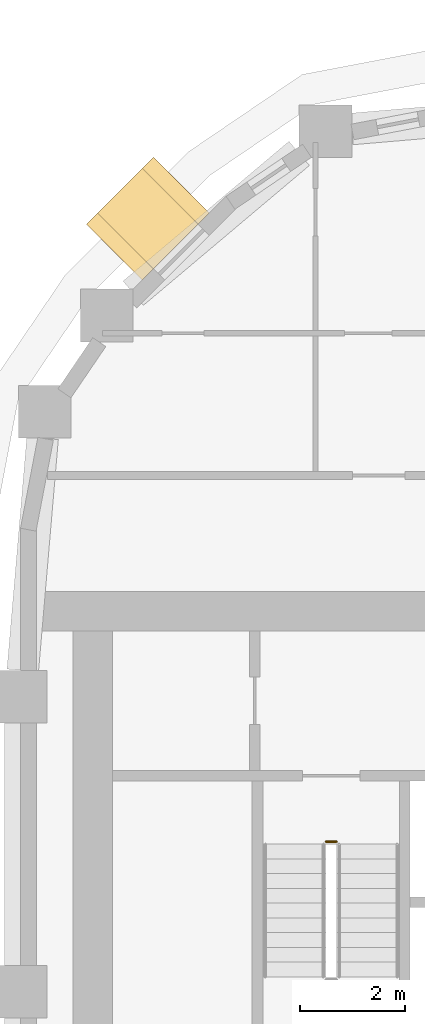
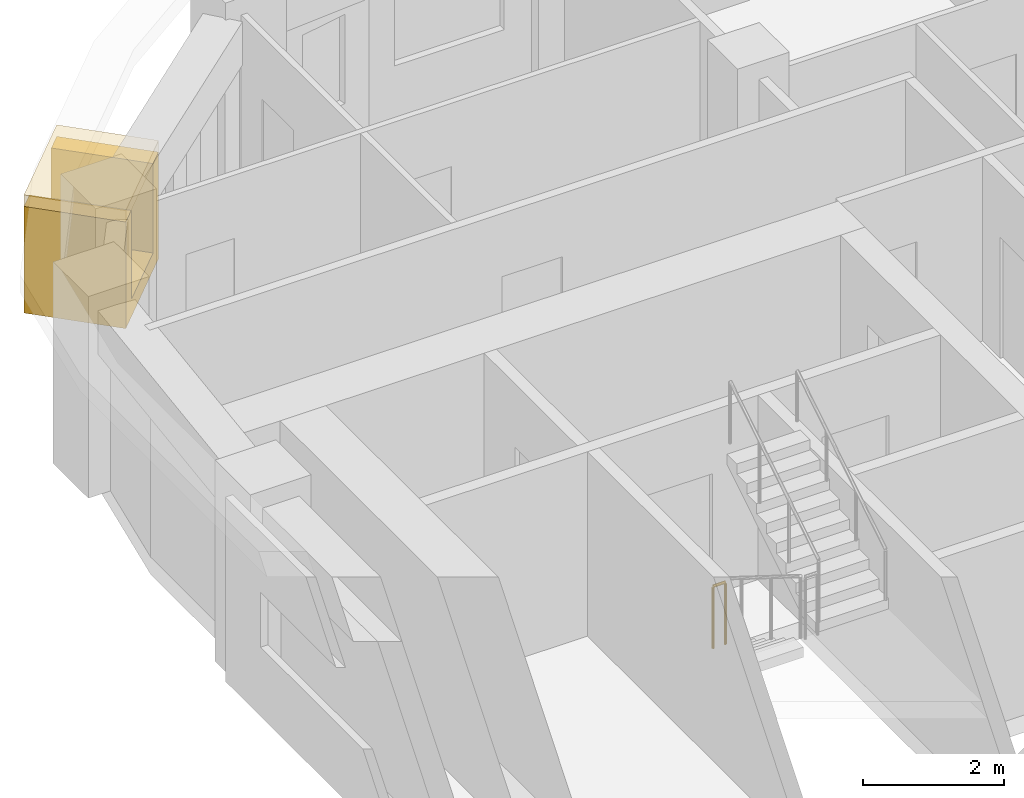
# One storey, part 20 of 22: 2 coverings, 1 railing.
"""IFC4 building model written with IfcOpenShell, lengths in metres."""

import ifcopenshell
import ifcopenshell.guid

model = None  # the IFC model being written
_history = None  # IfcOwnerHistory: only IFC2X3 demands one
_inside = {}  # id of a spatial element -> (the spatial element, [elements in it])
_under = {}  # id of a project, library or spatial element -> (it, [spatial elements below it])
_declared = {}  # id of a project -> (the project, [libraries it declares])
_typed = {}  # id of a type object -> (the type object, [elements of that type])
_made_of = {}  # id of a material, layer set ... -> (it, [elements and type objects made of it])


def new_model(schema):
    """Start an empty IFC model of exactly this schema.

    Asked for "IFC4X3", IfcOpenShell would pick the latest addendum, in which some entities
    have other attributes; the version numbers below select the first issue.
    IFC2X3 requires an IfcOwnerHistory on every rooted entity: one is made here for all.
    """
    global model, _history
    if schema == "IFC4X3":
        model = ifcopenshell.file(schema_version=(4, 3, 0, 0))
    else:
        model = ifcopenshell.file(schema=schema)
    _inside.clear()
    _under.clear()
    _declared.clear()
    _typed.clear()
    _made_of.clear()
    _history = None
    if model.schema == "IFC2X3":
        org = make("IfcOrganization", Name="unknown")
        user = make(
            "IfcPersonAndOrganization",
            ThePerson=make("IfcPerson", FamilyName="unknown"),
            TheOrganization=org,
        )
        app = make(
            "IfcApplication",
            ApplicationDeveloper=org,
            Version="unknown",
            ApplicationFullName="unknown",
            ApplicationIdentifier="unknown",
        )
        _history = make(
            "IfcOwnerHistory",
            OwningUser=user,
            OwningApplication=app,
            ChangeAction="ADDED",
            CreationDate=0,
        )
    return model


def make(cls, **values):
    """One entity of the class cls with the attributes given. An attribute that is None is left unset."""
    return model.create_entity(
        cls, **{name: value for name, value in values.items() if value is not None}
    )


def rooted(cls, **values):
    """An entity with a GlobalId (a new one), such as an element, a storey or a relation."""
    return make(cls, GlobalId=ifcopenshell.guid.new(), OwnerHistory=_history, **values)


def si_unit(unit_type, name, prefix=None):
    """IfcSIUnit, for example si_unit("LENGTHUNIT", "METRE", prefix="MILLI")."""
    return make("IfcSIUnit", UnitType=unit_type, Prefix=prefix, Name=name)


def assignment(units):
    """IfcUnitAssignment: the units of a project."""
    return None if units is None else make("IfcUnitAssignment", Units=units)


def point(xyz):
    """IfcCartesianPoint."""
    return None if xyz is None else make("IfcCartesianPoint", Coordinates=xyz)


def direction(xyz):
    """IfcDirection."""
    return None if xyz is None else make("IfcDirection", DirectionRatios=xyz)


def frame(location, z_axis=None, x_axis=None):
    """IfcAxis2Placement3D, a coordinate frame: its origin and axes. An axis left out is left unset."""
    return make(
        "IfcAxis2Placement3D",
        Location=point(location),
        Axis=direction(z_axis),
        RefDirection=direction(x_axis),
    )


def frame_2d(location, x_axis=None):
    """IfcAxis2Placement2D, a coordinate frame in the plane: its origin and x axis."""
    return make(
        "IfcAxis2Placement2D", Location=point(location), RefDirection=direction(x_axis)
    )


def origin():
    """The frame at (0, 0, 0) with its axes left unset."""
    return frame((0.0, 0.0, 0.0))


def origin_2d():
    """The frame at (0, 0) in the plane with its x axis left unset."""
    return frame_2d((0.0, 0.0))


def place(relative_to, where):
    """IfcLocalPlacement: puts the frame where relative to a parent placement (None: the world)."""
    return make(
        "IfcLocalPlacement", PlacementRelTo=relative_to, RelativePlacement=where
    )


def context(
    kind, dimensions, precision=None, world=None, true_north=None, identifier=None
):
    """IfcGeometricRepresentationContext, for example the 3D "Model" context."""
    return make(
        "IfcGeometricRepresentationContext",
        ContextIdentifier=identifier,
        ContextType=kind,
        CoordinateSpaceDimension=dimensions,
        Precision=precision,
        WorldCoordinateSystem=world,
        TrueNorth=true_north,
    )


def subcontext(parent, identifier, kind, view, scale=None):
    """IfcGeometricRepresentationSubContext, for example "Body" below "Model"."""
    return make(
        "IfcGeometricRepresentationSubContext",
        ContextIdentifier=identifier,
        ContextType=kind,
        ParentContext=parent,
        TargetScale=scale,
        TargetView=view,
    )


def project(units=None, contexts=None):
    """IfcProject with its units and contexts."""
    return rooted(
        "IfcProject",
        Name="project",
        RepresentationContexts=contexts,
        UnitsInContext=assignment(units),
    )


def spatial(cls, under=None, at=None, **own):
    """A site, building, storey or space (cls), placed at a placement, below another one or the project."""
    s = rooted(cls, ObjectPlacement=at, **own)
    if under is not None:
        _under.setdefault(under.id(), (under, []))[1].append(s)
    return s


def polyline(points):
    """IfcPolyline through the points."""
    return make("IfcPolyline", Points=[point(p) for p in points])


def profile(cls, at=None, kind="AREA", **sizes):
    """A parametric profile (cls). Its sizes go by their IFC names, for example OverallWidth=200.0."""
    return make(cls, ProfileType=kind, Position=at, **sizes)


def rectangle(**sizes):
    """IfcRectangleProfileDef."""
    return profile("IfcRectangleProfileDef", **sizes)


def circle(**sizes):
    """IfcCircleProfileDef."""
    return profile("IfcCircleProfileDef", **sizes)


def outline(outer, holes=None, kind="AREA"):
    """IfcArbitraryClosedProfileDef: a profile drawn as a closed curve; with holes, ...WithVoids."""
    if holes is None:
        return make("IfcArbitraryClosedProfileDef", ProfileType=kind, OuterCurve=outer)
    return make(
        "IfcArbitraryProfileDefWithVoids",
        ProfileType=kind,
        OuterCurve=outer,
        InnerCurves=holes,
    )


def extrude(swept, where, along, depth):
    """IfcExtrudedAreaSolid: the profile swept, set in the frame where, extruded along a direction by depth."""
    return make(
        "IfcExtrudedAreaSolid",
        SweptArea=swept,
        Position=where,
        ExtrudedDirection=direction(along),
        Depth=depth,
    )


def shape(context_of_items, identifier, shape_type, items):
    """IfcShapeRepresentation: the items that make up one representation, for example the "Body"."""
    return make(
        "IfcShapeRepresentation",
        ContextOfItems=context_of_items,
        RepresentationIdentifier=identifier,
        RepresentationType=shape_type,
        Items=items,
    )


def material(Name=None, Category=None):
    """IfcMaterial."""
    return make("IfcMaterial", Name=Name, Category=Category)


def layer(
    of_material, thickness, ventilated=None, Name=None, Category=None, Priority=None
):
    """IfcMaterialLayer: one layer of a wall or slab, of a material (None: an air gap)."""
    return make(
        "IfcMaterialLayer",
        Material=of_material,
        LayerThickness=thickness,
        IsVentilated=ventilated,
        Name=Name,
        Category=Category,
        Priority=Priority,
    )


def layer_set(layers, Name=None):
    """IfcMaterialLayerSet."""
    return make("IfcMaterialLayerSet", MaterialLayers=layers, LayerSetName=Name)


def made_of(thing, what):
    """Note that an element or type object is made of a material, layer set ...; save() writes the relation."""
    if what is not None:
        _made_of.setdefault(what.id(), (what, []))[1].append(thing)
    return thing


def type_object(cls, material=None, **own):
    """A type object (cls), such as IfcWallType, which elements share."""
    return made_of(rooted(cls, **own), material)


def element(
    cls,
    number,
    at=None,
    inside=None,
    cuts=None,
    type_object=None,
    material=None,
    context=None,
    identifier="Body",
    shape_type=None,
    held_by="IfcProductDefinitionShape",
    body=None,
    shapes=None,
    **own,
):
    """One element of the class cls, such as IfcWall. Its Tag is "e" and its number.

    at: its placement. inside: the storey or other place that contains it. cuts: it is an
    opening in that element (IfcRelVoidsElement). A single representation is given by context,
    identifier, shape_type and body (its items); several are given by shapes. held_by: the class
    of the entity that holds the representations. save() writes the other relations.
    """
    e = rooted(cls, Tag="e%d" % number, ObjectPlacement=at, **own)
    if body is not None:
        shapes = [shape(context, identifier, shape_type, body)]
    if shapes is not None:
        e.Representation = make(held_by, Representations=shapes)
    if inside is not None:
        _inside.setdefault(inside.id(), (inside, []))[1].append(e)
    if cuts is not None:
        rooted(
            "IfcRelVoidsElement", RelatingBuildingElement=cuts, RelatedOpeningElement=e
        )
    if type_object is not None:
        _typed.setdefault(type_object.id(), (type_object, []))[1].append(e)
    return made_of(e, material)


def aggregate(whole, parts):
    """IfcRelAggregates: a whole, such as a stair, and the parts it consists of."""
    return rooted("IfcRelAggregates", RelatingObject=whole, RelatedObjects=parts)


def save(model, path):
    """Write the relations noted so far, then the file.

    IfcRelAggregates (storeys below a building ...), IfcRelContainedInSpatialStructure (elements
    in a storey), IfcRelDefinesByType, IfcRelAssociatesMaterial and IfcRelDeclares: one each for
    every whole, place, type object, material and project.
    """
    for whole, parts in _under.values():
        aggregate(whole, parts)
    for where, things in _inside.values():
        rooted(
            "IfcRelContainedInSpatialStructure",
            RelatedElements=things,
            RelatingStructure=where,
        )
    for kind, things in _typed.values():
        rooted("IfcRelDefinesByType", RelatedObjects=things, RelatingType=kind)
    for what, things in _made_of.values():
        rooted("IfcRelAssociatesMaterial", RelatedObjects=things, RelatingMaterial=what)
    for by, libraries in _declared.values():
        rooted("IfcRelDeclares", RelatingContext=by, RelatedDefinitions=libraries)
    model.write(path)


model = new_model("IFC4")

# Units and contexts
model_context = context("Model", 3, precision=1e-05, world=origin(), true_north=direction((0.0, 1.0)))
body_context = subcontext(model_context, "Body", "Model", "MODEL_VIEW")
ifc_project = project(units=[si_unit("LENGTHUNIT", "METRE"), si_unit("AREAUNIT", "SQUARE_METRE"), si_unit("VOLUMEUNIT", "CUBIC_METRE"), si_unit("PLANEANGLEUNIT", "RADIAN"), si_unit("MASSUNIT", "GRAM", prefix="KILO")], contexts=[model_context])

# Site, building, storey
site_placement = place(None, origin())
site = spatial("IfcSite", under=ifc_project, at=site_placement, CompositionType="ELEMENT")
building_placement = place(site_placement, origin())
building = spatial("IfcBuilding", under=site, at=building_placement, Name="Kiln Ring Residences", CompositionType="ELEMENT")
storey_placement = place(building_placement, frame((0.0, 0.0, 167.60009765625)))
storey = spatial("IfcBuildingStorey", under=building, at=storey_placement, Name="L43", CompositionType="ELEMENT", Elevation=167.60009765625)

# Railing
ifc_material_1 = material(Name="Stainless steel", Category="steel")
railing_type = type_object("IfcRailingType", Name="CORE-STAIR-GUARD", PredefinedType="GUARDRAIL", material=ifc_material_1)
railing_placement = place(storey_placement, frame((-22.199951171875, 8.449951171875, 0.0)))
element("IfcRailing", 1, at=railing_placement, inside=storey, type_object=railing_type, Name="L43 W-STN stair guard 4", PredefinedType="GUARDRAIL", context=body_context, shape_type="SweptSolid", body=[
    extrude(circle(Radius=0.02392578125, at=origin_2d()), frame((0.0, 0.0, 1.076171875), z_axis=(1.0, 0.0, 0.0), x_axis=(0.0, 1.0, 0.0)), (0.0, 0.0, 1.0), 0.199951171875),
    extrude(circle(Radius=0.02099609375, at=origin_2d()), origin(), (0.0, 0.0, 1.0), 1.052001953125),
    extrude(circle(Radius=0.02099609375, at=origin_2d()), frame((0.199951171875, 0.0, 0.0)), (0.0, 0.0, 1.0), 1.052001953125),
])

# Coverings
ifc_material_2 = material(Name="Brick masonry, dark clay brick", Category="masonry")
ifc_layer_1 = layer(ifc_material_2, 0.300048828125)
ifc_layer_set_1 = layer_set([ifc_layer_1], Name="FRAME CHEEKS AND SILL 1500")
covering_type_1 = type_object("IfcCoveringType", Name="FRAME CHEEKS AND SILL 1500", PredefinedType="CLADDING", material=ifc_layer_set_1)
covering_1_placement = place(storey_placement, frame((-24.945556640625, 20.9150390625, 0.2998046875), z_axis=(0.0, 0.0, 1.0), x_axis=(-0.707106781187, -0.707106781187, 0.0)))
element("IfcCovering", 2, at=covering_1_placement, inside=storey, type_object=covering_type_1, Name="FRAME L43", PredefinedType="CLADDING", context=body_context, shape_type="SweptSolid", body=[
    extrude(outline(polyline([(0.0, 0.0), (1.7998046875, 0.0), (1.800048828125, 1.85009765625), (1.5009765625, 1.85009765625), (1.5, 0.300048828125), (0.300048828125, 0.300048828125), (0.299072265625, 1.85009765625), (0.0, 1.85009765625), (0.0, 0.0)])), frame((0.0, 0.75, 0.0), z_axis=(0.0, -1.0, 0.0), x_axis=(1.0, 0.0, 0.0)), (0.0, 0.0, 1.0), 1.5),
])
ifc_material_3 = material(Name="Brick masonry, dark clay brick", Category="masonry")
ifc_layer_2 = layer(ifc_material_3, 0.199951171875)
ifc_layer_set_2 = layer_set([ifc_layer_2], Name="FRAME HEAD 1500")
covering_type_2 = type_object("IfcCoveringType", Name="FRAME HEAD 1500", PredefinedType="CLADDING", material=ifc_layer_set_2)
covering_2_placement = place(storey_placement, frame((-25.58203125, 20.278564453125, 2.14990234375), z_axis=(0.0, 0.0, 1.0), x_axis=(-0.707106781187, -0.707106781187, 0.0)))
element("IfcCovering", 3, at=covering_2_placement, inside=storey, type_object=covering_type_2, Name="FRAME HEAD L43", PredefinedType="CLADDING", context=body_context, shape_type="SweptSolid", body=[
    extrude(rectangle(XDim=1.800048828125, YDim=1.5, at=origin_2d()), origin(), (0.0, 0.0, 1.0), 0.199951171875),
])

save(model, "model.ifc")
